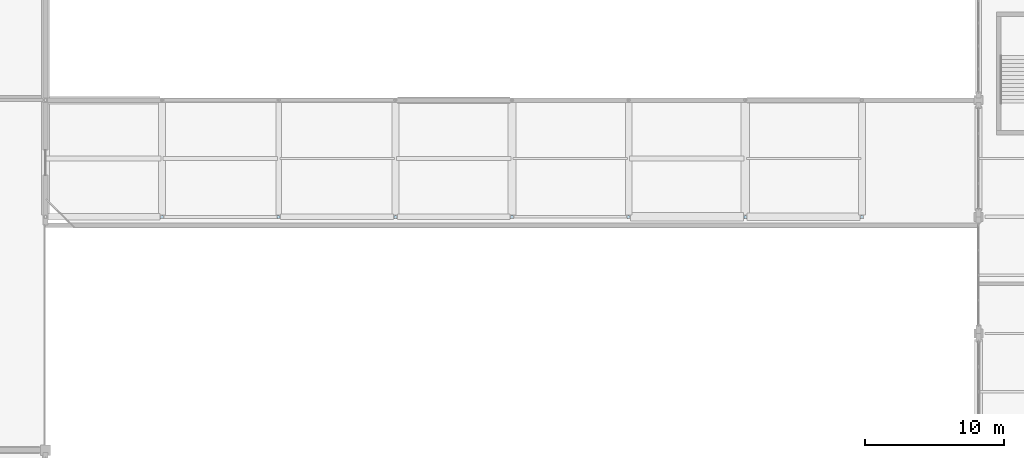
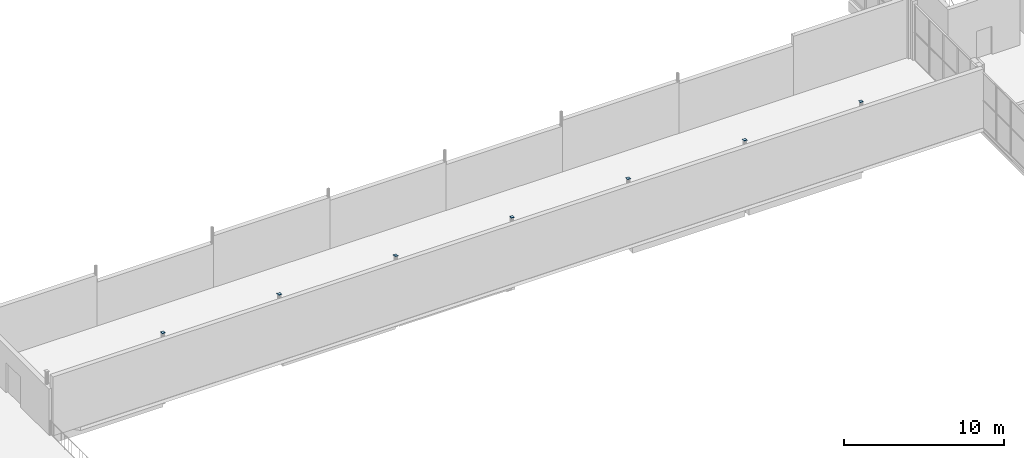
# One storey, part 54 of 75: 7 plates.
"""IFC4 building model written with IfcOpenShell, lengths in metres."""

from ifc_helpers import new_model, si_unit, derived_unit, direction, frame, origin, origin_2d, place, context, subcontext, project, spatial, rectangle, extrude, material, layer, layer_set, type_object, element, save


model = new_model("IFC4")

# Units and contexts
model_context = context("Model", 3, precision=1e-05, world=origin(), true_north=direction((0.0, 1.0)))
body_context = subcontext(model_context, "Body", "Model", "MODEL_VIEW")
ifc_project = project(units=[si_unit("LENGTHUNIT", "METRE"), si_unit("AREAUNIT", "SQUARE_METRE"), si_unit("VOLUMEUNIT", "CUBIC_METRE"), si_unit("PLANEANGLEUNIT", "RADIAN"), si_unit("MASSUNIT", "GRAM", prefix="KILO"), derived_unit("THERMALTRANSMITTANCEUNIT", [(si_unit("POWERUNIT", "WATT"), 1), (si_unit("LENGTHUNIT", "METRE"), -2), (si_unit("THERMODYNAMICTEMPERATUREUNIT", "KELVIN"), -1)])], contexts=[model_context])

# Site, building, storey
site_placement = place(None, origin())
site = spatial("IfcSite", under=ifc_project, at=site_placement, CompositionType="ELEMENT")
building_placement = place(site_placement, origin())
building = spatial("IfcBuilding", under=site, at=building_placement, Name="Barrovel Congress Hotel", CompositionType="ELEMENT")
storey_placement = place(building_placement, frame((0.0, 0.0, 5.39990234375)))
storey = spatial("IfcBuildingStorey", under=building, at=storey_placement, Name="L01", CompositionType="ELEMENT", Elevation=5.39990234375)

# Plates
ifc_material = material(Name="Steel ASTM A992 Grade 50", Category="steel")
ifc_layer = layer(ifc_material, 0.010009765625)
ifc_layer_set = layer_set([ifc_layer], Name="Steel ASTM A992 Grade 50")
plate_type = type_object("IfcPlateType", Name="EC-10", PredefinedType="SHEET", material=ifc_layer_set)
for number, where, z_axis, x_axis, name in (
    (1, (67.199951171875, 96.60009765625, 4.5), (0.0, 0.0, 1.0), (1.0, 0.0, 0.0), "End Cap Plate COL:L01:67.2:96.6 end"),
    (2, (75.60009765625, 96.60009765625, 4.5), (0.0, 0.0, 1.0), (1.0, 0.0, 0.0), "End Cap Plate COL:L01:75.6:96.6 end"),
    (3, (84.0, 96.60009765625, 4.5), (0.0, 0.0, 1.0), (1.0, 0.0, 0.0), "End Cap Plate COL:L01:84.0:96.6 end"),
    (4, (92.39990234375, 96.60009765625, 4.5), (0.0, 0.0, 1.0), (1.0, 0.0, 0.0), "End Cap Plate COL:L01:92.4:96.6 end"),
    (5, (100.800048828125, 96.60009765625, 4.5), (0.0, 0.0, 1.0), (1.0, 0.0, 0.0), "End Cap Plate COL:L01:100.8:96.6 end"),
    (6, (109.199951171875, 96.60009765625, 4.5), (0.0, 0.0, 1.0), (1.0, 0.0, 0.0), "End Cap Plate COL:L01:109.2:96.6 end"),
    (7, (117.60009765625, 96.60009765625, 4.5), (0.0, 0.0, 1.0), (1.0, 0.0, 0.0), "End Cap Plate COL:L01:117.6:96.6 end"),
):
    element("IfcPlate", number, at=place(storey_placement, frame(where, z_axis=z_axis, x_axis=x_axis)), inside=storey, type_object=plate_type, Name=name, PredefinedType="SHEET", context=body_context, shape_type="SweptSolid", body=[
        extrude(rectangle(XDim=0.218994140625, YDim=0.218994140625, at=origin_2d()), origin(), (0.0, 0.0, 1.0), 0.010009765625),
    ])

save(model, "model.ifc")
